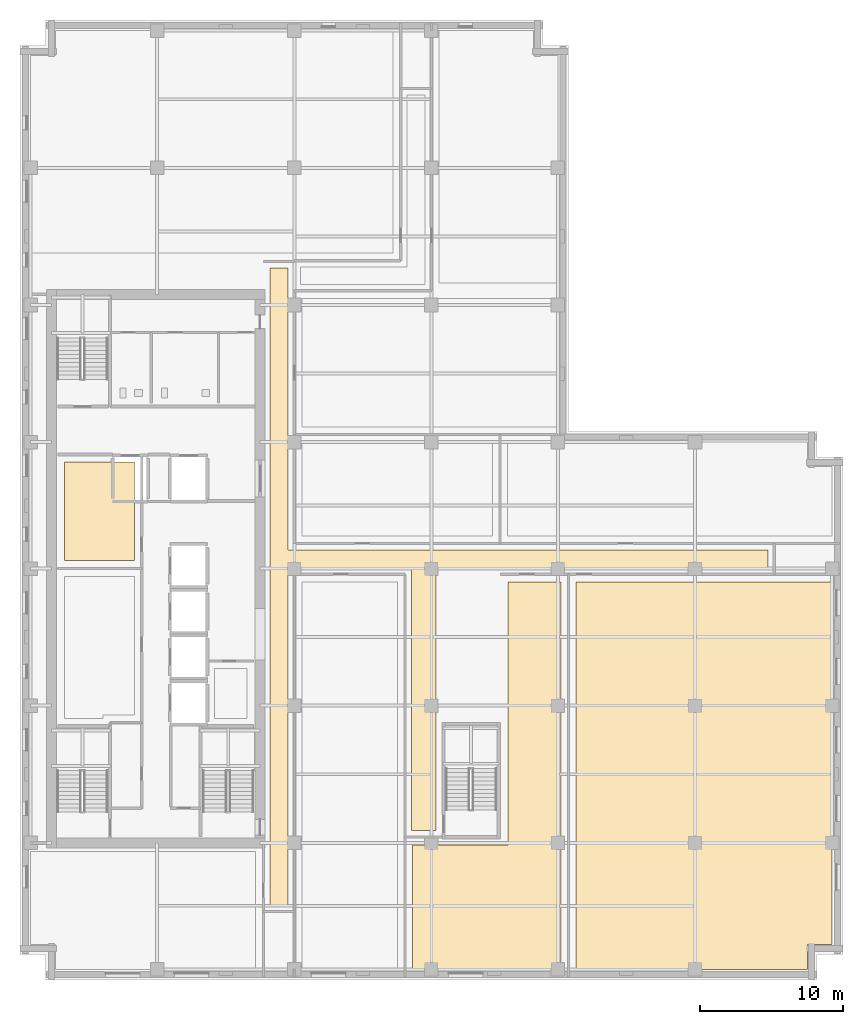
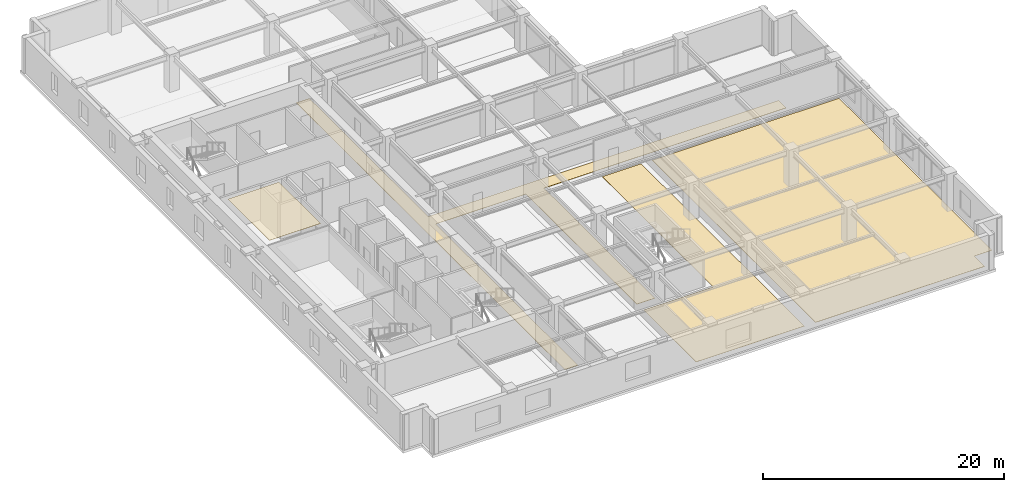
# One storey, part 9 of 12: 4 coverings.
"""IFC4 building model written with IfcOpenShell, lengths in metres."""

from ifc_helpers import new_model, si_unit, direction, frame, origin, place, context, subcontext, project, spatial, polyline, outline, extrude, material, layer, layer_set, type_object, element, save


model = new_model("IFC4")

# Units and contexts
model_context = context("Model", 3, precision=1e-05, world=origin(), true_north=direction((0.0, 1.0)))
body_context = subcontext(model_context, "Body", "Model", "MODEL_VIEW")
ifc_project = project(units=[si_unit("LENGTHUNIT", "METRE"), si_unit("AREAUNIT", "SQUARE_METRE"), si_unit("VOLUMEUNIT", "CUBIC_METRE"), si_unit("PLANEANGLEUNIT", "RADIAN"), si_unit("MASSUNIT", "GRAM", prefix="KILO")], contexts=[model_context])

# Site, building, storey
site_placement = place(None, origin())
site = spatial("IfcSite", under=ifc_project, at=site_placement, CompositionType="ELEMENT")
building_placement = place(site_placement, origin())
building = spatial("IfcBuilding", under=site, at=building_placement, Name="Norrvale University Quadrangle", CompositionType="ELEMENT")
storey_placement = place(building_placement, frame((0.0, 0.0, 182.60009765625)))
storey = spatial("IfcBuildingStorey", under=building, at=storey_placement, Name="L46", CompositionType="ELEMENT", Elevation=182.60009765625)

# Coverings
ifc_material_1 = material(Name="Perforated Acoustic Mineral Ceiling")
ifc_layer_1 = layer(ifc_material_1, 0.02490234375, Name="Perforated Acoustic Mineral Ceiling")
ifc_layer_set_1 = layer_set([ifc_layer_1], Name="Perforated Acoustic Mineral Ceiling")
covering_type_1 = type_object("IfcCoveringType", Name="Covering Acoustic Ceiling 25", PredefinedType="CEILING", material=ifc_layer_set_1)
covering_1_placement = place(storey_placement, frame((0.0, 0.0, 3.514892578125)))
element("IfcCovering", 1, at=covering_1_placement, inside=storey, type_object=covering_type_1, Name="Acoustic Ceiling RM-L46-REC3", PredefinedType="CEILING", context=body_context, shape_type="SweptSolid", body=[
    extrude(outline(polyline([(3.10009765625, 29.35009765625), (3.10009765625, 36.25), (8.0, 36.25), (8.0, 29.35009765625), (3.10009765625, 29.35009765625)])), origin(), (0.0, 0.0, 1.0), 0.02490234375),
])
ifc_material_2 = material(Name="Polished Terrazzo Flooring")
ifc_layer_2 = layer(ifc_material_2, 0.02490234375, Name="Polished Terrazzo Flooring")
ifc_layer_set_2 = layer_set([ifc_layer_2], Name="Polished Terrazzo Flooring")
covering_type_2 = type_object("IfcCoveringType", Name="Covering Terrazzo Floor 30", PredefinedType="FLOORING", material=ifc_layer_set_2)
covering_2_placement = place(storey_placement, origin())
element("IfcCovering", 2, at=covering_2_placement, inside=storey, type_object=covering_type_2, Name="Terrazzo Flooring RM-L46-CORR1", PredefinedType="FLOORING", context=body_context, shape_type="SweptSolid", body=[
    extrude(outline(polyline([(17.5, 5.25), (17.5, 49.85009765625), (18.75, 49.85009765625), (18.75, 30.10009765625), (52.35009765625, 30.10009765625), (52.35009765625, 28.85009765625), (29.1298828125, 28.85009765625), (29.1298828125, 10.449951171875), (27.39990234375, 10.449951171875), (27.39990234375, 28.85009765625), (18.75, 28.85009765625), (18.75, 5.25), (17.5, 5.25)])), origin(), (0.0, 0.0, 1.0), 0.02490234375),
])
covering_3_placement = place(storey_placement, origin())
element("IfcCovering", 3, at=covering_3_placement, inside=storey, type_object=covering_type_2, Name="Terrazzo Flooring RM-L46-SE2", PredefinedType="FLOORING", context=body_context, shape_type="SweptSolid", body=[
    extrude(outline(polyline([(27.47998046875, 9.449951171875), (34.14990234375, 9.449951171875), (34.14990234375, 27.8701171875), (37.8701171875, 27.8701171875), (37.8701171875, 0.75), (27.47998046875, 0.75), (27.47998046875, 9.449951171875)])), origin(), (0.0, 0.0, 1.0), 0.02490234375),
])
covering_4_placement = place(storey_placement, origin())
element("IfcCovering", 4, at=covering_4_placement, inside=storey, type_object=covering_type_2, Name="Terrazzo Flooring RM-L46-SE3", PredefinedType="FLOORING", context=body_context, shape_type="SweptSolid", body=[
    extrude(outline(polyline([(38.929931640625, 0.75), (38.929931640625, 27.8701171875), (56.85009765625, 27.8701171875), (56.85009765625, 2.469970703125), (55.1298828125, 2.469970703125), (55.1298828125, 0.75), (38.929931640625, 0.75)])), origin(), (0.0, 0.0, 1.0), 0.02490234375),
])

save(model, "model.ifc")
